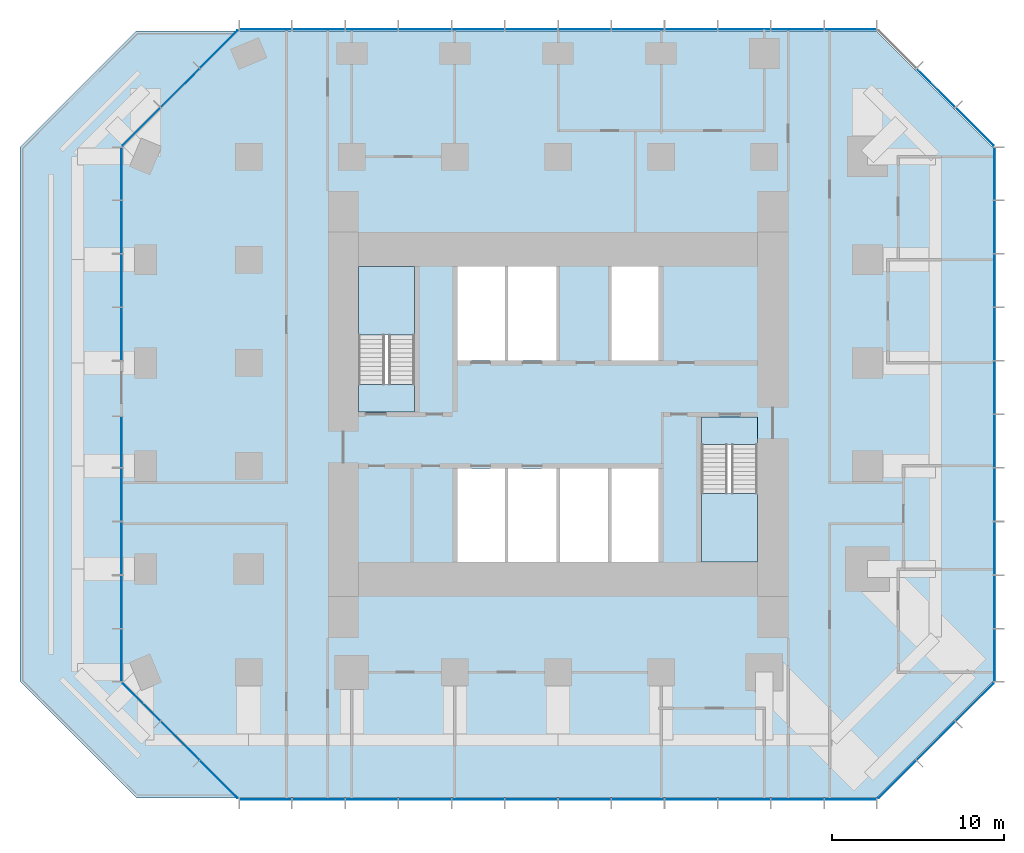
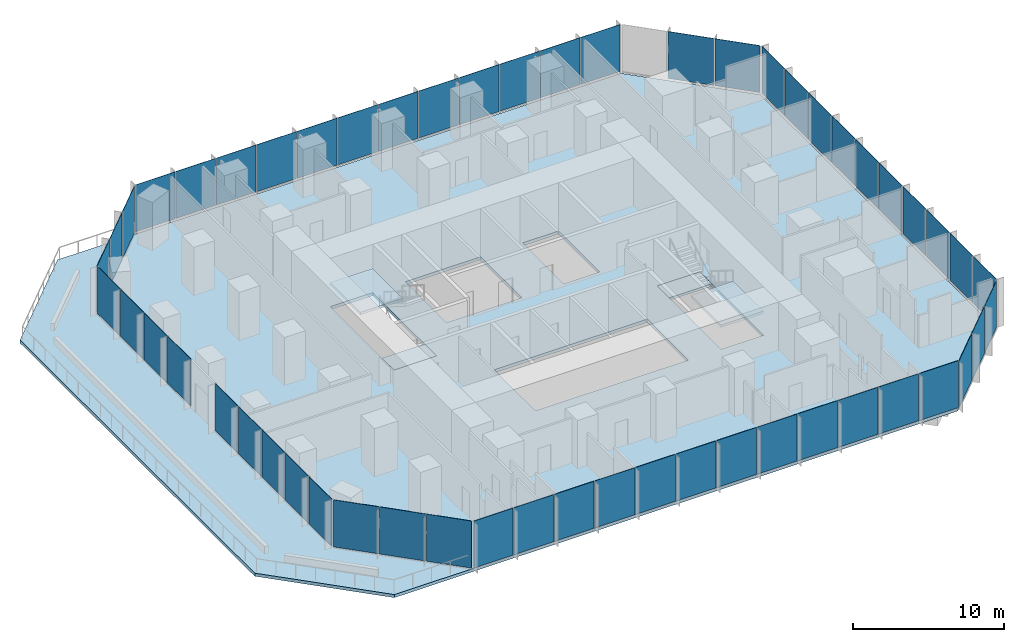
# One storey, part 7 of 11: 54 plates, 5 slabs, 11 elements without a shape of their own.
"""IFC4 building model written with IfcOpenShell, lengths in metres."""

from ifc_helpers import new_model, si_unit, direction, frame, origin, origin_2d, place, context, subcontext, project, spatial, polyline, rectangle, outline, extrude, material, layer, layer_set, type_object, element, aggregate, save


model = new_model("IFC4")

# Units and contexts
model_context = context("Model", 3, precision=1e-05, world=origin(), true_north=direction((0.0, 1.0)))
body_context = subcontext(model_context, "Body", "Model", "MODEL_VIEW")
ifc_project = project(units=[si_unit("LENGTHUNIT", "METRE"), si_unit("AREAUNIT", "SQUARE_METRE"), si_unit("VOLUMEUNIT", "CUBIC_METRE"), si_unit("PLANEANGLEUNIT", "RADIAN"), si_unit("MASSUNIT", "GRAM", prefix="KILO")], contexts=[model_context])

# Site, building, storey
site_placement = place(None, origin())
site = spatial("IfcSite", under=ifc_project, at=site_placement, CompositionType="ELEMENT")
building_placement = place(site_placement, origin())
building = spatial("IfcBuilding", under=site, at=building_placement, Name="Highveld Stack Headquarters", CompositionType="ELEMENT")
storey_placement = place(building_placement, frame((0.0, 0.0, 140.60009765625)))
storey = spatial("IfcBuildingStorey", under=building, at=storey_placement, Name="L34", CompositionType="ELEMENT", Elevation=140.60009765625)

# Curtain wall, plates
ifc_material_1 = material(Name="Aluminium bronze anodised", Category="aluminium")
ifc_layer_1 = layer(ifc_material_1, 0.199951171875)
ifc_layer_set_1 = layer_set([ifc_layer_1], Name="Aluminium bronze anodised")
curtain_wall_type_1 = type_object("IfcCurtainWallType", Name="CW1 TOWER UNITISED CURTAIN WALL", PredefinedType="NOTDEFINED", material=ifc_layer_set_1)
curtain_wall_1_placement = place(storey_placement, origin())
curtain_wall_1 = element("IfcCurtainWall", 1, at=curtain_wall_1_placement, inside=storey, type_object=curtain_wall_type_1, Name="Curtain wall CW1 L34 S", PredefinedType="NOTDEFINED")
ifc_material_2 = material(Name="Glass bronze tinted double glazed unit", Category="glass")
ifc_layer_2 = layer(ifc_material_2, 0.028076171875)
ifc_layer_set_2 = layer_set([ifc_layer_2], Name="Glass bronze tinted double glazed unit")
plate_type_1 = type_object("IfcPlateType", Name="CW1 PANEL BRONZE TINTED DOUBLE GLAZED UNIT", PredefinedType="CURTAIN_PANEL", material=ifc_layer_set_2)
plate_1_placement = place(storey_placement, frame((-11.015380859375, -19.39990234375, 0.10009765625), z_axis=(0.0, 0.0, 1.0), x_axis=(1.0, 0.0, 0.0)))
plate_1 = element("IfcPlate", 2, at=plate_1_placement, type_object=plate_type_1, Name="CW1 panel L34 1.1", PredefinedType="CURTAIN_PANEL", context=body_context, shape_type="SweptSolid", body=[
    extrude(rectangle(XDim=2.9990234375, YDim=0.028076171875, at=origin_2d()), origin(), (0.0, 0.0, 1.0), 3.800048828125),
])
plate_2_placement = place(storey_placement, frame((-7.934814453125, -19.39990234375, 0.10009765625), z_axis=(0.0, 0.0, 1.0), x_axis=(1.0, 0.0, 0.0)))
plate_2 = element("IfcPlate", 3, at=plate_2_placement, type_object=plate_type_1, Name="CW1 panel L34 2.1", PredefinedType="CURTAIN_PANEL", context=body_context, shape_type="SweptSolid", body=[
    extrude(rectangle(XDim=3.031494140625, YDim=0.028076171875, at=origin_2d()), origin(), (0.0, 0.0, 1.0), 3.800048828125),
])
plate_3_placement = place(storey_placement, frame((-4.83837890625, -19.39990234375, 0.10009765625), z_axis=(0.0, 0.0, 1.0), x_axis=(1.0, 0.0, 0.0)))
plate_3 = element("IfcPlate", 4, at=plate_3_placement, type_object=plate_type_1, Name="CW1 panel L34 3.1", PredefinedType="CURTAIN_PANEL", context=body_context, shape_type="SweptSolid", body=[
    extrude(rectangle(XDim=3.031494140625, YDim=0.028076171875, at=origin_2d()), origin(), (0.0, 0.0, 1.0), 3.800048828125),
])
plate_4_placement = place(storey_placement, frame((-1.74169921875, -19.39990234375, 0.10009765625), z_axis=(0.0, 0.0, 1.0), x_axis=(1.0, 0.0, 0.0)))
plate_4 = element("IfcPlate", 5, at=plate_4_placement, type_object=plate_type_1, Name="CW1 panel L34 4.1", PredefinedType="CURTAIN_PANEL", context=body_context, shape_type="SweptSolid", body=[
    extrude(rectangle(XDim=3.031494140625, YDim=0.028076171875, at=origin_2d()), origin(), (0.0, 0.0, 1.0), 3.800048828125),
])
plate_5_placement = place(storey_placement, frame((1.35498046875, -19.39990234375, 0.10009765625), z_axis=(0.0, 0.0, 1.0), x_axis=(1.0, 0.0, 0.0)))
plate_5 = element("IfcPlate", 6, at=plate_5_placement, type_object=plate_type_1, Name="CW1 panel L34 5.1", PredefinedType="CURTAIN_PANEL", context=body_context, shape_type="SweptSolid", body=[
    extrude(rectangle(XDim=3.031494140625, YDim=0.028076171875, at=origin_2d()), origin(), (0.0, 0.0, 1.0), 3.800048828125),
])
plate_6_placement = place(storey_placement, frame((4.45166015625, -19.39990234375, 0.10009765625), z_axis=(0.0, 0.0, 1.0), x_axis=(1.0, 0.0, 0.0)))
plate_6 = element("IfcPlate", 7, at=plate_6_placement, type_object=plate_type_1, Name="CW1 panel L34 6.1", PredefinedType="CURTAIN_PANEL", context=body_context, shape_type="SweptSolid", body=[
    extrude(rectangle(XDim=3.031494140625, YDim=0.028076171875, at=origin_2d()), origin(), (0.0, 0.0, 1.0), 3.800048828125),
])
plate_7_placement = place(storey_placement, frame((7.54833984375, -19.39990234375, 0.10009765625), z_axis=(0.0, 0.0, 1.0), x_axis=(1.0, 0.0, 0.0)))
plate_7 = element("IfcPlate", 8, at=plate_7_placement, type_object=plate_type_1, Name="CW1 panel L34 7.1", PredefinedType="CURTAIN_PANEL", context=body_context, shape_type="SweptSolid", body=[
    extrude(rectangle(XDim=3.03173828125, YDim=0.028076171875, at=origin_2d()), origin(), (0.0, 0.0, 1.0), 3.800048828125),
])
plate_8_placement = place(storey_placement, frame((10.64501953125, -19.39990234375, 0.10009765625), z_axis=(0.0, 0.0, 1.0), x_axis=(1.0, 0.0, 0.0)))
plate_8 = element("IfcPlate", 9, at=plate_8_placement, type_object=plate_type_1, Name="CW1 panel L34 8.1", PredefinedType="CURTAIN_PANEL", context=body_context, shape_type="SweptSolid", body=[
    extrude(rectangle(XDim=3.03173828125, YDim=0.028076171875, at=origin_2d()), origin(), (0.0, 0.0, 1.0), 3.800048828125),
])
plate_9_placement = place(storey_placement, frame((13.74169921875, -19.39990234375, 0.10009765625), z_axis=(0.0, 0.0, 1.0), x_axis=(1.0, 0.0, 0.0)))
plate_9 = element("IfcPlate", 10, at=plate_9_placement, type_object=plate_type_1, Name="CW1 panel L34 9.1", PredefinedType="CURTAIN_PANEL", context=body_context, shape_type="SweptSolid", body=[
    extrude(rectangle(XDim=3.03173828125, YDim=0.028076171875, at=origin_2d()), origin(), (0.0, 0.0, 1.0), 3.800048828125),
])
plate_10_placement = place(storey_placement, frame((16.83837890625, -19.39990234375, 0.10009765625), z_axis=(0.0, 0.0, 1.0), x_axis=(1.0, 0.0, 0.0)))
plate_10 = element("IfcPlate", 11, at=plate_10_placement, type_object=plate_type_1, Name="CW1 panel L34 10.1", PredefinedType="CURTAIN_PANEL", context=body_context, shape_type="SweptSolid", body=[
    extrude(rectangle(XDim=3.03173828125, YDim=0.028076171875, at=origin_2d()), origin(), (0.0, 0.0, 1.0), 3.800048828125),
])
plate_11_placement = place(storey_placement, frame((19.934814453125, -19.39990234375, 0.10009765625), z_axis=(0.0, 0.0, 1.0), x_axis=(1.0, 0.0, 0.0)))
plate_11 = element("IfcPlate", 12, at=plate_11_placement, type_object=plate_type_1, Name="CW1 panel L34 11.1", PredefinedType="CURTAIN_PANEL", context=body_context, shape_type="SweptSolid", body=[
    extrude(rectangle(XDim=3.03173828125, YDim=0.028076171875, at=origin_2d()), origin(), (0.0, 0.0, 1.0), 3.800048828125),
])
plate_12_placement = place(storey_placement, frame((23.015380859375, -19.39990234375, 0.10009765625), z_axis=(0.0, 0.0, 1.0), x_axis=(1.0, 0.0, 0.0)))
plate_12 = element("IfcPlate", 13, at=plate_12_placement, type_object=plate_type_1, Name="CW1 panel L34 12.1", PredefinedType="CURTAIN_PANEL", context=body_context, shape_type="SweptSolid", body=[
    extrude(rectangle(XDim=2.999267578125, YDim=0.028076171875, at=origin_2d()), origin(), (0.0, 0.0, 1.0), 3.800048828125),
])
aggregate(curtain_wall_1, [plate_1, plate_2, plate_3, plate_4, plate_5, plate_6, plate_7, plate_8, plate_9, plate_10, plate_11, plate_12])

curtain_wall_2_placement = place(storey_placement, origin())
curtain_wall_2 = element("IfcCurtainWall", 14, at=curtain_wall_2_placement, inside=storey, type_object=curtain_wall_type_1, Name="Curtain wall CW1 L34 E", PredefinedType="NOTDEFINED")
plate_13_placement = place(storey_placement, frame((31.39990234375, -11.005615234375, 0.10009765625), z_axis=(0.0, 0.0, 1.0), x_axis=(0.0, 1.0, 0.0)))
plate_13 = element("IfcPlate", 15, at=plate_13_placement, type_object=plate_type_1, Name="CW1 panel L34 1.1", PredefinedType="CURTAIN_PANEL", context=body_context, shape_type="SweptSolid", body=[
    extrude(rectangle(XDim=3.0185546875, YDim=0.028076171875, at=origin_2d()), origin(), (0.0, 0.0, 1.0), 3.800048828125),
])
plate_14_placement = place(storey_placement, frame((31.39990234375, -7.906005859375, 0.10009765625), z_axis=(0.0, 0.0, 1.0), x_axis=(0.0, 1.0, 0.0)))
plate_14 = element("IfcPlate", 16, at=plate_14_placement, type_object=plate_type_1, Name="CW1 panel L34 2.1", PredefinedType="CURTAIN_PANEL", context=body_context, shape_type="SweptSolid", body=[
    extrude(rectangle(XDim=3.051025390625, YDim=0.028076171875, at=origin_2d()), origin(), (0.0, 0.0, 1.0), 3.800048828125),
])
plate_15_placement = place(storey_placement, frame((31.39990234375, -4.7900390625, 0.10009765625), z_axis=(0.0, 0.0, 1.0), x_axis=(0.0, 1.0, 0.0)))
plate_15 = element("IfcPlate", 17, at=plate_15_placement, type_object=plate_type_1, Name="CW1 panel L34 3.1", PredefinedType="CURTAIN_PANEL", context=body_context, shape_type="SweptSolid", body=[
    extrude(rectangle(XDim=3.051025390625, YDim=0.028076171875, at=origin_2d()), origin(), (0.0, 0.0, 1.0), 3.800048828125),
])
plate_16_placement = place(storey_placement, frame((31.39990234375, -1.674072265625, 0.10009765625), z_axis=(0.0, 0.0, 1.0), x_axis=(0.0, 1.0, 0.0)))
plate_16 = element("IfcPlate", 18, at=plate_16_placement, type_object=plate_type_1, Name="CW1 panel L34 4.1", PredefinedType="CURTAIN_PANEL", context=body_context, shape_type="SweptSolid", body=[
    extrude(rectangle(XDim=3.051025390625, YDim=0.028076171875, at=origin_2d()), origin(), (0.0, 0.0, 1.0), 3.800048828125),
])
plate_17_placement = place(storey_placement, frame((31.39990234375, 1.44189453125, 0.10009765625), z_axis=(0.0, 0.0, 1.0), x_axis=(0.0, 1.0, 0.0)))
plate_17 = element("IfcPlate", 19, at=plate_17_placement, type_object=plate_type_1, Name="CW1 panel L34 5.1", PredefinedType="CURTAIN_PANEL", context=body_context, shape_type="SweptSolid", body=[
    extrude(rectangle(XDim=3.051025390625, YDim=0.028076171875, at=origin_2d()), origin(), (0.0, 0.0, 1.0), 3.800048828125),
])
plate_18_placement = place(storey_placement, frame((31.39990234375, 4.55810546875, 0.10009765625), z_axis=(0.0, 0.0, 1.0), x_axis=(0.0, 1.0, 0.0)))
plate_18 = element("IfcPlate", 20, at=plate_18_placement, type_object=plate_type_1, Name="CW1 panel L34 6.1", PredefinedType="CURTAIN_PANEL", context=body_context, shape_type="SweptSolid", body=[
    extrude(rectangle(XDim=3.051025390625, YDim=0.028076171875, at=origin_2d()), origin(), (0.0, 0.0, 1.0), 3.800048828125),
])
plate_19_placement = place(storey_placement, frame((31.39990234375, 7.674072265625, 0.10009765625), z_axis=(0.0, 0.0, 1.0), x_axis=(0.0, 1.0, 0.0)))
plate_19 = element("IfcPlate", 21, at=plate_19_placement, type_object=plate_type_1, Name="CW1 panel L34 7.1", PredefinedType="CURTAIN_PANEL", context=body_context, shape_type="SweptSolid", body=[
    extrude(rectangle(XDim=3.051025390625, YDim=0.028076171875, at=origin_2d()), origin(), (0.0, 0.0, 1.0), 3.800048828125),
])
plate_20_placement = place(storey_placement, frame((31.39990234375, 10.789794921875, 0.10009765625), z_axis=(0.0, 0.0, 1.0), x_axis=(0.0, 1.0, 0.0)))
plate_20 = element("IfcPlate", 22, at=plate_20_placement, type_object=plate_type_1, Name="CW1 panel L34 8.1", PredefinedType="CURTAIN_PANEL", context=body_context, shape_type="SweptSolid", body=[
    extrude(rectangle(XDim=3.051025390625, YDim=0.028076171875, at=origin_2d()), origin(), (0.0, 0.0, 1.0), 3.800048828125),
])
plate_21_placement = place(storey_placement, frame((31.39990234375, 13.906005859375, 0.10009765625), z_axis=(0.0, 0.0, 1.0), x_axis=(0.0, 1.0, 0.0)))
plate_21 = element("IfcPlate", 23, at=plate_21_placement, type_object=plate_type_1, Name="CW1 panel L34 9.1", PredefinedType="CURTAIN_PANEL", context=body_context, shape_type="SweptSolid", body=[
    extrude(rectangle(XDim=3.051025390625, YDim=0.028076171875, at=origin_2d()), origin(), (0.0, 0.0, 1.0), 3.800048828125),
])
plate_22_placement = place(storey_placement, frame((31.39990234375, 17.005615234375, 0.10009765625), z_axis=(0.0, 0.0, 1.0), x_axis=(0.0, 1.0, 0.0)))
plate_22 = element("IfcPlate", 24, at=plate_22_placement, type_object=plate_type_1, Name="CW1 panel L34 10.1", PredefinedType="CURTAIN_PANEL", context=body_context, shape_type="SweptSolid", body=[
    extrude(rectangle(XDim=3.0185546875, YDim=0.028076171875, at=origin_2d()), origin(), (0.0, 0.0, 1.0), 3.800048828125),
])
aggregate(curtain_wall_2, [plate_13, plate_14, plate_15, plate_16, plate_17, plate_18, plate_19, plate_20, plate_21, plate_22])

curtain_wall_3_placement = place(storey_placement, origin())
curtain_wall_3 = element("IfcCurtainWall", 25, at=curtain_wall_3_placement, inside=storey, type_object=curtain_wall_type_1, Name="Curtain wall CW1 L34 N", PredefinedType="NOTDEFINED")
plate_23_placement = place(storey_placement, frame((23.015380859375, 25.39990234375, 0.10009765625), z_axis=(0.0, 0.0, 1.0), x_axis=(-1.0, 0.0, 0.0)))
plate_23 = element("IfcPlate", 26, at=plate_23_placement, type_object=plate_type_1, Name="CW1 panel L34 1.1", PredefinedType="CURTAIN_PANEL", context=body_context, shape_type="SweptSolid", body=[
    extrude(rectangle(XDim=2.9990234375, YDim=0.028076171875, at=origin_2d()), origin(), (0.0, 0.0, 1.0), 3.800048828125),
])
plate_24_placement = place(storey_placement, frame((19.934814453125, 25.39990234375, 0.10009765625), z_axis=(0.0, 0.0, 1.0), x_axis=(-1.0, 0.0, 0.0)))
plate_24 = element("IfcPlate", 27, at=plate_24_placement, type_object=plate_type_1, Name="CW1 panel L34 2.1", PredefinedType="CURTAIN_PANEL", context=body_context, shape_type="SweptSolid", body=[
    extrude(rectangle(XDim=3.031494140625, YDim=0.028076171875, at=origin_2d()), origin(), (0.0, 0.0, 1.0), 3.800048828125),
])
plate_25_placement = place(storey_placement, frame((16.83837890625, 25.39990234375, 0.10009765625), z_axis=(0.0, 0.0, 1.0), x_axis=(-1.0, 0.0, 0.0)))
plate_25 = element("IfcPlate", 28, at=plate_25_placement, type_object=plate_type_1, Name="CW1 panel L34 3.1", PredefinedType="CURTAIN_PANEL", context=body_context, shape_type="SweptSolid", body=[
    extrude(rectangle(XDim=3.031494140625, YDim=0.028076171875, at=origin_2d()), origin(), (0.0, 0.0, 1.0), 3.800048828125),
])
plate_26_placement = place(storey_placement, frame((13.74169921875, 25.39990234375, 0.10009765625), z_axis=(0.0, 0.0, 1.0), x_axis=(-1.0, 0.0, 0.0)))
plate_26 = element("IfcPlate", 29, at=plate_26_placement, type_object=plate_type_1, Name="CW1 panel L34 4.1", PredefinedType="CURTAIN_PANEL", context=body_context, shape_type="SweptSolid", body=[
    extrude(rectangle(XDim=3.031494140625, YDim=0.028076171875, at=origin_2d()), origin(), (0.0, 0.0, 1.0), 3.800048828125),
])
plate_27_placement = place(storey_placement, frame((10.64501953125, 25.39990234375, 0.10009765625), z_axis=(0.0, 0.0, 1.0), x_axis=(-1.0, 0.0, 0.0)))
plate_27 = element("IfcPlate", 30, at=plate_27_placement, type_object=plate_type_1, Name="CW1 panel L34 5.1", PredefinedType="CURTAIN_PANEL", context=body_context, shape_type="SweptSolid", body=[
    extrude(rectangle(XDim=3.031494140625, YDim=0.028076171875, at=origin_2d()), origin(), (0.0, 0.0, 1.0), 3.800048828125),
])
plate_28_placement = place(storey_placement, frame((7.54833984375, 25.39990234375, 0.10009765625), z_axis=(0.0, 0.0, 1.0), x_axis=(-1.0, 0.0, 0.0)))
plate_28 = element("IfcPlate", 31, at=plate_28_placement, type_object=plate_type_1, Name="CW1 panel L34 6.1", PredefinedType="CURTAIN_PANEL", context=body_context, shape_type="SweptSolid", body=[
    extrude(rectangle(XDim=3.031494140625, YDim=0.028076171875, at=origin_2d()), origin(), (0.0, 0.0, 1.0), 3.800048828125),
])
plate_29_placement = place(storey_placement, frame((4.45166015625, 25.39990234375, 0.10009765625), z_axis=(0.0, 0.0, 1.0), x_axis=(-1.0, 0.0, 0.0)))
plate_29 = element("IfcPlate", 32, at=plate_29_placement, type_object=plate_type_1, Name="CW1 panel L34 7.1", PredefinedType="CURTAIN_PANEL", context=body_context, shape_type="SweptSolid", body=[
    extrude(rectangle(XDim=3.03173828125, YDim=0.028076171875, at=origin_2d()), origin(), (0.0, 0.0, 1.0), 3.800048828125),
])
plate_30_placement = place(storey_placement, frame((1.35498046875, 25.39990234375, 0.10009765625), z_axis=(0.0, 0.0, 1.0), x_axis=(-1.0, 0.0, 0.0)))
plate_30 = element("IfcPlate", 33, at=plate_30_placement, type_object=plate_type_1, Name="CW1 panel L34 8.1", PredefinedType="CURTAIN_PANEL", context=body_context, shape_type="SweptSolid", body=[
    extrude(rectangle(XDim=3.03173828125, YDim=0.028076171875, at=origin_2d()), origin(), (0.0, 0.0, 1.0), 3.800048828125),
])
plate_31_placement = place(storey_placement, frame((-1.74169921875, 25.39990234375, 0.10009765625), z_axis=(0.0, 0.0, 1.0), x_axis=(-1.0, 0.0, 0.0)))
plate_31 = element("IfcPlate", 34, at=plate_31_placement, type_object=plate_type_1, Name="CW1 panel L34 9.1", PredefinedType="CURTAIN_PANEL", context=body_context, shape_type="SweptSolid", body=[
    extrude(rectangle(XDim=3.03173828125, YDim=0.028076171875, at=origin_2d()), origin(), (0.0, 0.0, 1.0), 3.800048828125),
])
plate_32_placement = place(storey_placement, frame((-4.83837890625, 25.39990234375, 0.10009765625), z_axis=(0.0, 0.0, 1.0), x_axis=(-1.0, 0.0, 0.0)))
plate_32 = element("IfcPlate", 35, at=plate_32_placement, type_object=plate_type_1, Name="CW1 panel L34 10.1", PredefinedType="CURTAIN_PANEL", context=body_context, shape_type="SweptSolid", body=[
    extrude(rectangle(XDim=3.03173828125, YDim=0.028076171875, at=origin_2d()), origin(), (0.0, 0.0, 1.0), 3.800048828125),
])
plate_33_placement = place(storey_placement, frame((-7.934814453125, 25.39990234375, 0.10009765625), z_axis=(0.0, 0.0, 1.0), x_axis=(-1.0, 0.0, 0.0)))
plate_33 = element("IfcPlate", 36, at=plate_33_placement, type_object=plate_type_1, Name="CW1 panel L34 11.1", PredefinedType="CURTAIN_PANEL", context=body_context, shape_type="SweptSolid", body=[
    extrude(rectangle(XDim=3.03173828125, YDim=0.028076171875, at=origin_2d()), origin(), (0.0, 0.0, 1.0), 3.800048828125),
])
plate_34_placement = place(storey_placement, frame((-11.015380859375, 25.39990234375, 0.10009765625), z_axis=(0.0, 0.0, 1.0), x_axis=(-1.0, 0.0, 0.0)))
plate_34 = element("IfcPlate", 37, at=plate_34_placement, type_object=plate_type_1, Name="CW1 panel L34 12.1", PredefinedType="CURTAIN_PANEL", context=body_context, shape_type="SweptSolid", body=[
    extrude(rectangle(XDim=2.999267578125, YDim=0.028076171875, at=origin_2d()), origin(), (0.0, 0.0, 1.0), 3.800048828125),
])
aggregate(curtain_wall_3, [plate_23, plate_24, plate_25, plate_26, plate_27, plate_28, plate_29, plate_30, plate_31, plate_32, plate_33, plate_34])

curtain_wall_4_placement = place(storey_placement, origin())
curtain_wall_4 = element("IfcCurtainWall", 38, at=curtain_wall_4_placement, inside=storey, type_object=curtain_wall_type_1, Name="Curtain wall CW1 L34 W-1", PredefinedType="NOTDEFINED")
plate_35_placement = place(storey_placement, frame((-19.39990234375, 17.005615234375, 0.10009765625), z_axis=(0.0, 0.0, 1.0), x_axis=(0.0, -1.0, 0.0)))
plate_35 = element("IfcPlate", 39, at=plate_35_placement, type_object=plate_type_1, Name="CW1 panel L34 1.1", PredefinedType="CURTAIN_PANEL", context=body_context, shape_type="SweptSolid", body=[
    extrude(rectangle(XDim=3.0185546875, YDim=0.028076171875, at=origin_2d()), origin(), (0.0, 0.0, 1.0), 3.800048828125),
])
plate_36_placement = place(storey_placement, frame((-19.39990234375, 13.906005859375, 0.10009765625), z_axis=(0.0, 0.0, 1.0), x_axis=(0.0, -1.0, 0.0)))
plate_36 = element("IfcPlate", 40, at=plate_36_placement, type_object=plate_type_1, Name="CW1 panel L34 2.1", PredefinedType="CURTAIN_PANEL", context=body_context, shape_type="SweptSolid", body=[
    extrude(rectangle(XDim=3.051025390625, YDim=0.028076171875, at=origin_2d()), origin(), (0.0, 0.0, 1.0), 3.800048828125),
])
plate_37_placement = place(storey_placement, frame((-19.39990234375, 10.7900390625, 0.10009765625), z_axis=(0.0, 0.0, 1.0), x_axis=(0.0, -1.0, 0.0)))
plate_37 = element("IfcPlate", 41, at=plate_37_placement, type_object=plate_type_1, Name="CW1 panel L34 3.1", PredefinedType="CURTAIN_PANEL", context=body_context, shape_type="SweptSolid", body=[
    extrude(rectangle(XDim=3.051025390625, YDim=0.028076171875, at=origin_2d()), origin(), (0.0, 0.0, 1.0), 3.800048828125),
])
plate_38_placement = place(storey_placement, frame((-19.39990234375, 7.674072265625, 0.10009765625), z_axis=(0.0, 0.0, 1.0), x_axis=(0.0, -1.0, 0.0)))
plate_38 = element("IfcPlate", 42, at=plate_38_placement, type_object=plate_type_1, Name="CW1 panel L34 4.1", PredefinedType="CURTAIN_PANEL", context=body_context, shape_type="SweptSolid", body=[
    extrude(rectangle(XDim=3.051025390625, YDim=0.028076171875, at=origin_2d()), origin(), (0.0, 0.0, 1.0), 3.800048828125),
])
aggregate(curtain_wall_4, [plate_35, plate_36, plate_37, plate_38])

curtain_wall_5_placement = place(storey_placement, origin())
curtain_wall_5 = element("IfcCurtainWall", 43, at=curtain_wall_5_placement, inside=storey, type_object=curtain_wall_type_1, Name="Curtain wall CW1 L34 W-2", PredefinedType="NOTDEFINED")
plate_39_placement = place(storey_placement, frame((-19.39990234375, 1.38818359375, 0.10009765625), z_axis=(0.0, 0.0, 1.0), x_axis=(0.0, -1.0, 0.0)))
plate_39 = element("IfcPlate", 44, at=plate_39_placement, type_object=plate_type_1, Name="CW1 panel L34 6.1", PredefinedType="CURTAIN_PANEL", context=body_context, shape_type="SweptSolid", body=[
    extrude(rectangle(XDim=2.943603515625, YDim=0.028076171875, at=origin_2d()), origin(), (0.0, 0.0, 1.0), 3.800048828125),
])
plate_40_placement = place(storey_placement, frame((-19.39990234375, -1.674072265625, 0.10009765625), z_axis=(0.0, 0.0, 1.0), x_axis=(0.0, -1.0, 0.0)))
plate_40 = element("IfcPlate", 45, at=plate_40_placement, type_object=plate_type_1, Name="CW1 panel L34 7.1", PredefinedType="CURTAIN_PANEL", context=body_context, shape_type="SweptSolid", body=[
    extrude(rectangle(XDim=3.051025390625, YDim=0.028076171875, at=origin_2d()), origin(), (0.0, 0.0, 1.0), 3.800048828125),
])
plate_41_placement = place(storey_placement, frame((-19.39990234375, -4.789794921875, 0.10009765625), z_axis=(0.0, 0.0, 1.0), x_axis=(0.0, -1.0, 0.0)))
plate_41 = element("IfcPlate", 46, at=plate_41_placement, type_object=plate_type_1, Name="CW1 panel L34 8.1", PredefinedType="CURTAIN_PANEL", context=body_context, shape_type="SweptSolid", body=[
    extrude(rectangle(XDim=3.051025390625, YDim=0.028076171875, at=origin_2d()), origin(), (0.0, 0.0, 1.0), 3.800048828125),
])
plate_42_placement = place(storey_placement, frame((-19.39990234375, -7.906005859375, 0.10009765625), z_axis=(0.0, 0.0, 1.0), x_axis=(0.0, -1.0, 0.0)))
plate_42 = element("IfcPlate", 47, at=plate_42_placement, type_object=plate_type_1, Name="CW1 panel L34 9.1", PredefinedType="CURTAIN_PANEL", context=body_context, shape_type="SweptSolid", body=[
    extrude(rectangle(XDim=3.051025390625, YDim=0.028076171875, at=origin_2d()), origin(), (0.0, 0.0, 1.0), 3.800048828125),
])
plate_43_placement = place(storey_placement, frame((-19.39990234375, -11.005615234375, 0.10009765625), z_axis=(0.0, 0.0, 1.0), x_axis=(0.0, -1.0, 0.0)))
plate_43 = element("IfcPlate", 48, at=plate_43_placement, type_object=plate_type_1, Name="CW1 panel L34 10.1", PredefinedType="CURTAIN_PANEL", context=body_context, shape_type="SweptSolid", body=[
    extrude(rectangle(XDim=3.0185546875, YDim=0.028076171875, at=origin_2d()), origin(), (0.0, 0.0, 1.0), 3.800048828125),
])
aggregate(curtain_wall_5, [plate_39, plate_40, plate_41, plate_42, plate_43])

ifc_material_3 = material(Name="Aluminium bronze anodised", Category="aluminium")
ifc_layer_3 = layer(ifc_material_3, 0.199951171875)
ifc_layer_set_3 = layer_set([ifc_layer_3], Name="Aluminium bronze anodised")
curtain_wall_type_2 = type_object("IfcCurtainWallType", Name="CW2 TOWER CHAMFER UNITISED CURTAIN WALL", PredefinedType="NOTDEFINED", material=ifc_layer_set_3)
curtain_wall_6_placement = place(storey_placement, origin())
curtain_wall_6 = element("IfcCurtainWall", 49, at=curtain_wall_6_placement, inside=storey, type_object=curtain_wall_type_2, Name="Curtain wall CW2 L34 SE", PredefinedType="NOTDEFINED")
ifc_material_4 = material(Name="Glass bronze tinted double glazed unit", Category="glass")
ifc_layer_4 = layer(ifc_material_4, 0.028076171875)
ifc_layer_set_4 = layer_set([ifc_layer_4], Name="Glass bronze tinted double glazed unit")
plate_type_2 = type_object("IfcPlateType", Name="CW2 PANEL BRONZE TINTED DOUBLE GLAZED UNIT", PredefinedType="CURTAIN_PANEL", material=ifc_layer_set_4)
plate_44_placement = place(storey_placement, frame((25.740478515625, -18.239501953125, 0.10009765625), z_axis=(0.0, 0.0, 1.0), x_axis=(0.707106781187, 0.707106781187, 0.0)))
plate_44 = element("IfcPlate", 50, at=plate_44_placement, type_object=plate_type_2, Name="CW2 panel L34 1.1", PredefinedType="CURTAIN_PANEL", context=body_context, shape_type="SweptSolid", body=[
    extrude(rectangle(XDim=3.08251953125, YDim=0.028076171875, at=origin_2d()), origin(), (0.0, 0.0, 1.0), 3.800048828125),
])
plate_45_placement = place(storey_placement, frame((27.989990234375, -15.989990234375, 0.10009765625), z_axis=(0.0, 0.0, 1.0), x_axis=(0.707106781187, 0.707106781187, 0.0)))
plate_45 = element("IfcPlate", 51, at=plate_45_placement, type_object=plate_type_2, Name="CW2 panel L34 2.1", PredefinedType="CURTAIN_PANEL", context=body_context, shape_type="SweptSolid", body=[
    extrude(rectangle(XDim=3.14990234375, YDim=0.028076171875, at=origin_2d()), origin(), (0.0, 0.0, 1.0), 3.800048828125),
])
plate_46_placement = place(storey_placement, frame((30.239501953125, -13.740478515625, 0.10009765625), z_axis=(0.0, 0.0, 1.0), x_axis=(0.707106781187, 0.707106781187, 0.0)))
plate_46 = element("IfcPlate", 52, at=plate_46_placement, type_object=plate_type_2, Name="CW2 panel L34 3.1", PredefinedType="CURTAIN_PANEL", context=body_context, shape_type="SweptSolid", body=[
    extrude(rectangle(XDim=3.08251953125, YDim=0.028076171875, at=origin_2d()), origin(), (0.0, 0.0, 1.0), 3.800048828125),
])
aggregate(curtain_wall_6, [plate_44, plate_45, plate_46])

curtain_wall_7_placement = place(storey_placement, origin())
curtain_wall_7 = element("IfcCurtainWall", 53, at=curtain_wall_7_placement, inside=storey, type_object=curtain_wall_type_2, Name="Curtain wall CW2 L34 NE", PredefinedType="NOTDEFINED")
plate_47_placement = place(storey_placement, frame((30.239501953125, 19.740478515625, 0.10009765625), z_axis=(0.0, 0.0, 1.0), x_axis=(-0.707106781187, 0.707106781187, 0.0)))
plate_47 = element("IfcPlate", 54, at=plate_47_placement, type_object=plate_type_2, Name="CW2 panel L34 1.1", PredefinedType="CURTAIN_PANEL", context=body_context, shape_type="SweptSolid", body=[
    extrude(rectangle(XDim=3.08251953125, YDim=0.028076171875, at=origin_2d()), origin(), (0.0, 0.0, 1.0), 3.800048828125),
])
plate_48_placement = place(storey_placement, frame((27.989990234375, 21.989990234375, 0.10009765625), z_axis=(0.0, 0.0, 1.0), x_axis=(-0.707106781187, 0.707106781187, 0.0)))
plate_48 = element("IfcPlate", 55, at=plate_48_placement, type_object=plate_type_2, Name="CW2 panel L34 2.1", PredefinedType="CURTAIN_PANEL", context=body_context, shape_type="SweptSolid", body=[
    extrude(rectangle(XDim=3.14990234375, YDim=0.028076171875, at=origin_2d()), origin(), (0.0, 0.0, 1.0), 3.800048828125),
])
aggregate(curtain_wall_7, [plate_47, plate_48])

curtain_wall_8_placement = place(storey_placement, origin())
curtain_wall_8 = element("IfcCurtainWall", 56, at=curtain_wall_8_placement, inside=storey, type_object=curtain_wall_type_2, Name="Curtain wall CW2 L34 NW", PredefinedType="NOTDEFINED")
plate_49_placement = place(storey_placement, frame((-13.740478515625, 24.239501953125, 0.10009765625), z_axis=(0.0, 0.0, 1.0), x_axis=(-0.707106781187, -0.707106781187, 0.0)))
plate_49 = element("IfcPlate", 57, at=plate_49_placement, type_object=plate_type_2, Name="CW2 panel L34 1.1", PredefinedType="CURTAIN_PANEL", context=body_context, shape_type="SweptSolid", body=[
    extrude(rectangle(XDim=3.08251953125, YDim=0.028076171875, at=origin_2d()), origin(), (0.0, 0.0, 1.0), 3.800048828125),
])
plate_50_placement = place(storey_placement, frame((-15.989990234375, 21.989990234375, 0.10009765625), z_axis=(0.0, 0.0, 1.0), x_axis=(-0.707106781187, -0.707106781187, 0.0)))
plate_50 = element("IfcPlate", 58, at=plate_50_placement, type_object=plate_type_2, Name="CW2 panel L34 2.1", PredefinedType="CURTAIN_PANEL", context=body_context, shape_type="SweptSolid", body=[
    extrude(rectangle(XDim=3.14990234375, YDim=0.028076171875, at=origin_2d()), origin(), (0.0, 0.0, 1.0), 3.800048828125),
])
plate_51_placement = place(storey_placement, frame((-18.239501953125, 19.740478515625, 0.10009765625), z_axis=(0.0, 0.0, 1.0), x_axis=(-0.707106781187, -0.707106781187, 0.0)))
plate_51 = element("IfcPlate", 59, at=plate_51_placement, type_object=plate_type_2, Name="CW2 panel L34 3.1", PredefinedType="CURTAIN_PANEL", context=body_context, shape_type="SweptSolid", body=[
    extrude(rectangle(XDim=3.08251953125, YDim=0.028076171875, at=origin_2d()), origin(), (0.0, 0.0, 1.0), 3.800048828125),
])
aggregate(curtain_wall_8, [plate_49, plate_50, plate_51])

curtain_wall_9_placement = place(storey_placement, origin())
curtain_wall_9 = element("IfcCurtainWall", 60, at=curtain_wall_9_placement, inside=storey, type_object=curtain_wall_type_2, Name="Curtain wall CW2 L34 SW", PredefinedType="NOTDEFINED")
plate_52_placement = place(storey_placement, frame((-18.239501953125, -13.740478515625, 0.10009765625), z_axis=(0.0, 0.0, 1.0), x_axis=(0.707106781187, -0.707106781187, 0.0)))
plate_52 = element("IfcPlate", 61, at=plate_52_placement, type_object=plate_type_2, Name="CW2 panel L34 1.1", PredefinedType="CURTAIN_PANEL", context=body_context, shape_type="SweptSolid", body=[
    extrude(rectangle(XDim=3.08251953125, YDim=0.028076171875, at=origin_2d()), origin(), (0.0, 0.0, 1.0), 3.800048828125),
])
plate_53_placement = place(storey_placement, frame((-15.989990234375, -15.989990234375, 0.10009765625), z_axis=(0.0, 0.0, 1.0), x_axis=(0.707106781187, -0.707106781187, 0.0)))
plate_53 = element("IfcPlate", 62, at=plate_53_placement, type_object=plate_type_2, Name="CW2 panel L34 2.1", PredefinedType="CURTAIN_PANEL", context=body_context, shape_type="SweptSolid", body=[
    extrude(rectangle(XDim=3.14990234375, YDim=0.028076171875, at=origin_2d()), origin(), (0.0, 0.0, 1.0), 3.800048828125),
])
plate_54_placement = place(storey_placement, frame((-13.740478515625, -18.239501953125, 0.10009765625), z_axis=(0.0, 0.0, 1.0), x_axis=(0.707106781187, -0.707106781187, 0.0)))
plate_54 = element("IfcPlate", 63, at=plate_54_placement, type_object=plate_type_2, Name="CW2 panel L34 3.1", PredefinedType="CURTAIN_PANEL", context=body_context, shape_type="SweptSolid", body=[
    extrude(rectangle(XDim=3.08251953125, YDim=0.028076171875, at=origin_2d()), origin(), (0.0, 0.0, 1.0), 3.800048828125),
])
aggregate(curtain_wall_9, [plate_52, plate_53, plate_54])

# Slab
ifc_material_5 = material(Name="Concrete C60/75", Category="concrete")
ifc_layer_5 = layer(ifc_material_5, 0.25)
ifc_layer_set_5 = layer_set([ifc_layer_5], Name="Concrete C60/75")
slab_type_1 = type_object("IfcSlabType", Name="PT FLAT SLAB 250", PredefinedType="FLOOR", material=ifc_layer_set_5)
slab_1_placement = place(storey_placement, frame((0.0, 0.0, -0.25)))
element("IfcSlab", 64, at=slab_1_placement, inside=storey, type_object=slab_type_1, Name="Floor slab L34", PredefinedType="FLOOR", context=body_context, shape_type="SweptSolid", body=[
    extrude(outline(polyline([(24.53857421875, 25.300048828125), (31.300048828125, 18.53857421875), (31.300048828125, -12.53857421875), (24.53857421875, -19.300048828125), (-12.5244140625, -19.300048828125), (-12.514404296875, -19.31005859375), (-18.54248046875, -19.31005859375), (-25.31005859375, -12.54248046875), (-25.31005859375, 18.54248046875), (-18.54248046875, 25.31005859375), (-12.514404296875, 25.31005859375), (-12.5244140625, 25.300048828125), (24.53857421875, 25.300048828125)]), holes=[polyline([(0.14990234375, 6.14990234375), (5.89990234375, 6.14990234375), (5.89990234375, 11.60009765625), (0.14990234375, 11.60009765625), (0.14990234375, 6.14990234375)]), polyline([(9.10009765625, 6.14990234375), (11.85009765625, 6.14990234375), (11.85009765625, 11.60009765625), (9.10009765625, 11.60009765625), (9.10009765625, 6.14990234375)]), polyline([(0.14990234375, -5.60009765625), (11.85009765625, -5.60009765625), (11.85009765625, -0.14990234375), (0.14990234375, -0.14990234375), (0.14990234375, -5.60009765625)]), polyline([(-5.60009765625, 3.14990234375), (-2.35009765625, 3.14990234375), (-2.35009765625, 11.60009765625), (-5.60009765625, 11.60009765625), (-5.60009765625, 3.14990234375)]), polyline([(14.35009765625, -5.60009765625), (17.60009765625, -5.60009765625), (17.60009765625, 2.85009765625), (14.35009765625, 2.85009765625), (14.35009765625, -5.60009765625)])]), origin(), (0.0, 0.0, 1.0), 0.25),
])

# Stair, slabs
ifc_material_6 = material(Name="Concrete C40/50, precast", Category="concrete")
stair_type_1 = type_object("IfcStairType", Name="STAIR S1 HALF TURN 1500", PredefinedType="HALF_TURN_STAIR", material=ifc_material_6)
stair_1_placement = place(storey_placement, origin())
stair_1 = element("IfcStair", 65, at=stair_1_placement, inside=storey, type_object=stair_type_1, Name="Stair S1 L34", PredefinedType="HALF_TURN_STAIR")
ifc_material_7 = material(Name="Concrete C40/50, precast", Category="concrete")
ifc_layer_6 = layer(ifc_material_7, 0.199951171875)
ifc_layer_set_6 = layer_set([ifc_layer_6], Name="Concrete C40/50, precast")
slab_type_2 = type_object("IfcSlabType", Name="STAIR LANDING 200", PredefinedType="LANDING", material=ifc_layer_set_6)
slab_2_placement = place(storey_placement, frame((0.0, 0.0, 1.75)))
slab_2 = element("IfcSlab", 66, at=slab_2_placement, type_object=slab_type_2, Name="S1 landing 1", PredefinedType="LANDING", context=body_context, shape_type="SweptSolid", body=[
    extrude(outline(polyline([(-5.60009765625, 7.610107421875), (-2.35009765625, 7.610107421875), (-2.35009765625, 11.60009765625), (-5.60009765625, 11.60009765625), (-5.60009765625, 7.610107421875)])), origin(), (0.0, 0.0, 1.0), 0.199951171875),
])
slab_3_placement = place(storey_placement, frame((0.0, 0.0, -0.2001953125)))
slab_3 = element("IfcSlab", 67, at=slab_3_placement, type_object=slab_type_2, Name="S1 landing 2", PredefinedType="LANDING", context=body_context, shape_type="SweptSolid", body=[
    extrude(outline(polyline([(-5.60009765625, 3.14990234375), (-2.35009765625, 3.14990234375), (-2.35009765625, 4.75), (-5.60009765625, 4.75), (-5.60009765625, 3.14990234375)])), origin(), (0.0, 0.0, 1.0), 0.2001953125),
])
aggregate(stair_1, [slab_2, slab_3])

ifc_material_8 = material(Name="Concrete C40/50, precast", Category="concrete")
stair_type_2 = type_object("IfcStairType", Name="STAIR S2 HALF TURN 1500", PredefinedType="HALF_TURN_STAIR", material=ifc_material_8)
stair_2_placement = place(storey_placement, origin())
stair_2 = element("IfcStair", 68, at=stair_2_placement, inside=storey, type_object=stair_type_2, Name="Stair S2 L34", PredefinedType="HALF_TURN_STAIR")
slab_4_placement = place(storey_placement, frame((0.0, 0.0, 1.75)))
slab_4 = element("IfcSlab", 69, at=slab_4_placement, type_object=slab_type_2, Name="S2 landing 1", PredefinedType="LANDING", context=body_context, shape_type="SweptSolid", body=[
    extrude(outline(polyline([(14.35009765625, -5.60009765625), (17.60009765625, -5.60009765625), (17.60009765625, -1.610107421875), (14.35009765625, -1.610107421875), (14.35009765625, -5.60009765625)])), origin(), (0.0, 0.0, 1.0), 0.199951171875),
])
slab_5_placement = place(storey_placement, frame((0.0, 0.0, -0.2001953125)))
slab_5 = element("IfcSlab", 70, at=slab_5_placement, type_object=slab_type_2, Name="S2 landing 2", PredefinedType="LANDING", context=body_context, shape_type="SweptSolid", body=[
    extrude(outline(polyline([(14.35009765625, 1.25), (17.60009765625, 1.25), (17.60009765625, 2.85009765625), (14.35009765625, 2.85009765625), (14.35009765625, 1.25)])), origin(), (0.0, 0.0, 1.0), 0.2001953125),
])
aggregate(stair_2, [slab_4, slab_5])

save(model, "model.ifc")
